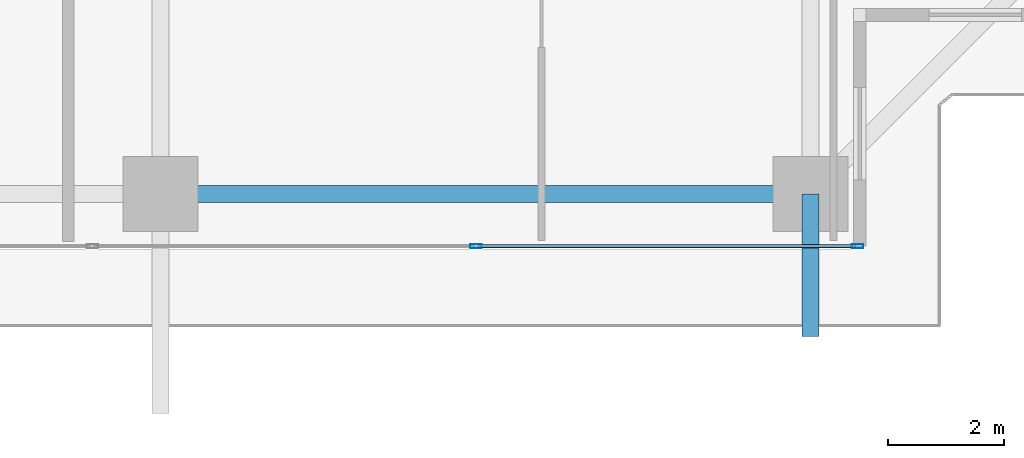
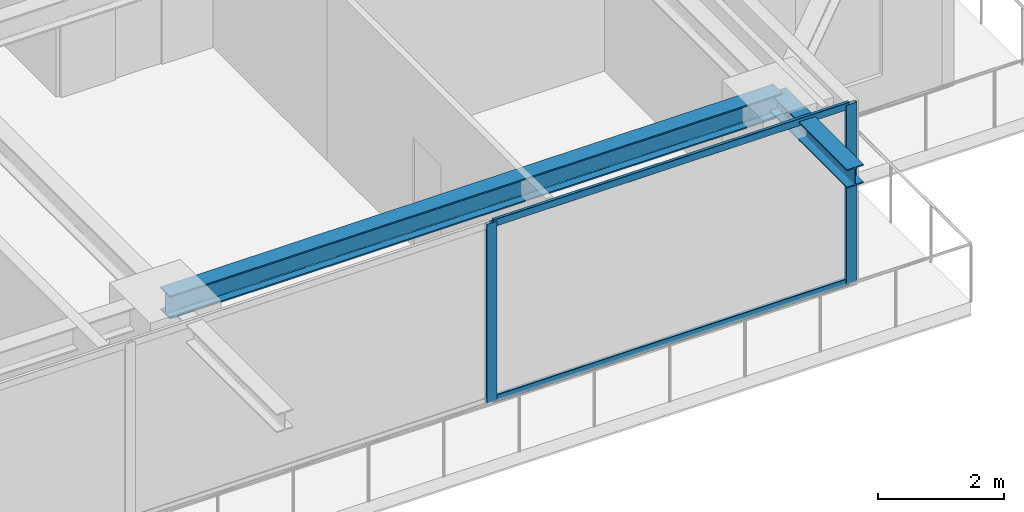
# One storey, part 12 of 37: 4 members, 2 beams, 1 element without a shape of its own.
"""IFC4 building model written with IfcOpenShell, lengths in metres."""

from ifc_helpers import new_model, si_unit, direction, frame, origin, origin_2d, place, context, subcontext, project, spatial, hollow_rectangle, i_section, extrude, source, transform, mapped, material, layer, layer_set, material_profile, profile_set, type_object, element, aggregate, save


model = new_model("IFC4")

# Units and contexts
model_context = context("Model", 3, precision=1e-05, world=origin(), true_north=direction((0.0, 1.0)))
body_context = subcontext(model_context, "Body", "Model", "MODEL_VIEW")
ifc_project = project(units=[si_unit("LENGTHUNIT", "METRE"), si_unit("AREAUNIT", "SQUARE_METRE"), si_unit("VOLUMEUNIT", "CUBIC_METRE"), si_unit("PLANEANGLEUNIT", "RADIAN"), si_unit("MASSUNIT", "GRAM", prefix="KILO")], contexts=[model_context])

# Site, building, storey
site_placement = place(None, origin())
site = spatial("IfcSite", under=ifc_project, at=site_placement, CompositionType="ELEMENT")
building_placement = place(site_placement, origin())
building = spatial("IfcBuilding", under=site, at=building_placement, Name="Serunith Strait Residences", CompositionType="ELEMENT")
storey_placement = place(building_placement, frame((0.0, 0.0, 153.89990234375)))
storey = spatial("IfcBuildingStorey", under=building, at=storey_placement, Name="L38", CompositionType="ELEMENT", Elevation=153.89990234375)

# Beams
ifc_material_1 = material(Name="Steel S355J2", Category="steel")
ifc_material_profile_1 = material_profile(ifc_material_1, i_section(OverallWidth=0.300048828125, OverallDepth=0.449951171875, WebThickness=0.013916015625, FlangeThickness=0.02587890625, FilletRadius=0.027099609375, at=origin_2d()), Name="HEB 450")
ifc_profile_set_1 = profile_set([ifc_material_profile_1], Name="Steel S355J2")
beam_type_1 = type_object("IfcBeamType", Name="BM-HEB450", PredefinedType="BEAM", material=ifc_profile_set_1)
shared_shape_1 = source(origin(), body_context, "Body", "SweptSolid", [
    extrude(i_section(OverallWidth=0.300048828125, OverallDepth=0.449951171875, WebThickness=0.013916015625, FlangeThickness=0.02587890625, FilletRadius=0.027099609375, at=origin_2d()), origin(), (0.0, 0.0, 1.0), 11.25),
])
beam_1_placement = place(storey_placement, frame((36.89990234375, 2.300048828125, 3.26220703125), z_axis=(1.0, 0.0, 0.0), x_axis=(0.0, 1.0, 0.0)))
element("IfcBeam", 1, at=beam_1_placement, inside=storey, type_object=beam_type_1, Name="L38 Perimeter Ring Beam 03", PredefinedType="BEAM", context=body_context, shape_type="MappedRepresentation", body=[
    mapped(shared_shape_1, transform((0.0, 0.0, 0.0), scale=1.0)),
])
ifc_material_profile_2 = material_profile(ifc_material_1, i_section(OverallWidth=0.300048828125, OverallDepth=0.360107421875, WebThickness=0.012451171875, FlangeThickness=0.0224609375, FilletRadius=0.027099609375, at=origin_2d()), Name="HEB 360")
ifc_profile_set_2 = profile_set([ifc_material_profile_2], Name="Steel S355J2")
beam_type_2 = type_object("IfcBeamType", Name="BM-HEB360", PredefinedType="BEAM", material=ifc_profile_set_2)
shared_shape_2 = source(origin(), body_context, "Body", "SweptSolid", [
    extrude(i_section(OverallWidth=0.300048828125, OverallDepth=0.360107421875, WebThickness=0.012451171875, FlangeThickness=0.0224609375, FilletRadius=0.027099609375, at=origin_2d()), origin(), (0.0, 0.0, 1.0), 2.461669921875),
])
beam_2_placement = place(storey_placement, frame((48.14990234375, 2.300048828125, 3.277099609375), z_axis=(0.0, -1.0, 0.0), x_axis=(1.0, 0.0, 0.0)))
element("IfcBeam", 2, at=beam_2_placement, inside=storey, type_object=beam_type_2, Name="L39 Cantilevered Balcony Rib TC-S4", PredefinedType="BEAM", context=body_context, shape_type="MappedRepresentation", body=[
    mapped(shared_shape_2, transform((0.0, 0.0, 0.0), scale=1.0)),
])

# Curtain wall, members
ifc_material_2 = material(Name="Pale-Champagne Anodised Aluminium", Category="aluminium")
ifc_layer = layer(ifc_material_2, 0.199951171875, Name="Pale-Champagne Anodised Aluminium")
ifc_layer_set = layer_set([ifc_layer], Name="Pale-Champagne Anodised Aluminium")
curtain_wall_type = type_object("IfcCurtainWallType", Name="CW-SYS2", PredefinedType="NOTDEFINED", material=ifc_layer_set)
curtain_wall_placement = place(storey_placement, origin())
curtain_wall = element("IfcCurtainWall", 3, at=curtain_wall_placement, inside=storey, type_object=curtain_wall_type, Name="L38 S Unitised Fritted Curtain Wall", PredefinedType="NOTDEFINED")
ifc_material_profile_3 = material_profile(ifc_material_2, hollow_rectangle(XDim=0.070068359375, YDim=0.199951171875, WallThickness=0.00390625, InnerFilletRadius=0.006103515625, OuterFilletRadius=0.010009765625, at=origin_2d()), Name="ALU 200x70x4")
ifc_profile_set_3 = profile_set([ifc_material_profile_3], Name="Pale-Champagne Anodised Aluminium")
member_type_1 = type_object("IfcMemberType", Name="CW-SYS2-MULL", PredefinedType="MULLION", material=ifc_profile_set_3)
shared_shape_3 = source(origin(), body_context, "Body", "SweptSolid", [
    extrude(hollow_rectangle(XDim=0.070068359375, YDim=0.199951171875, WallThickness=0.00390625, InnerFilletRadius=0.006103515625, OuterFilletRadius=0.010009765625, at=origin_2d()), origin(), (0.0, 0.0, 1.0), 3.47509765625),
])
member_1_placement = place(storey_placement, frame((42.360107421875, 1.39990234375, 0.0), z_axis=(0.0, 0.0, 1.0), x_axis=(0.0, 1.0, 0.0)))
member_1 = element("IfcMember", 4, at=member_1_placement, type_object=member_type_1, Name="CW-2 mullion 5", PredefinedType="MULLION", context=body_context, shape_type="MappedRepresentation", body=[
    mapped(shared_shape_3, transform((0.0, 0.0, 0.0), scale=1.0)),
])
member_2_placement = place(storey_placement, frame((48.965087890625, 1.39990234375, 0.0), z_axis=(0.0, 0.0, 1.0), x_axis=(0.0, 1.0, 0.0)))
member_2 = element("IfcMember", 5, at=member_2_placement, type_object=member_type_1, Name="CW-2 mullion 6", PredefinedType="MULLION", context=body_context, shape_type="MappedRepresentation", body=[
    mapped(shared_shape_3, transform((0.0, 0.0, 0.0), scale=1.0)),
])
ifc_material_profile_4 = material_profile(ifc_material_2, hollow_rectangle(XDim=0.06005859375, YDim=0.139892578125, WallThickness=0.00341796875, InnerFilletRadius=0.00537109375, OuterFilletRadius=0.0087890625, at=origin_2d()), Name="ALU 140x60x3.5")
ifc_profile_set_4 = profile_set([ifc_material_profile_4], Name="Pale-Champagne Anodised Aluminium")
member_type_2 = type_object("IfcMemberType", Name="CW-SYS2-TRAN", PredefinedType="USERDEFINED", material=ifc_profile_set_4)
shared_shape_4 = source(origin(), body_context, "Body", "SweptSolid", [
    extrude(hollow_rectangle(XDim=0.06005859375, YDim=0.139892578125, WallThickness=0.00341796875, InnerFilletRadius=0.00537109375, OuterFilletRadius=0.0087890625, at=origin_2d()), origin(), (0.0, 0.0, 1.0), 6.534912109375),
])
member_3_placement = place(storey_placement, frame((42.39501953125, 1.39990234375, 0.030029296875), z_axis=(1.0, 0.0, 0.0), x_axis=(0.0, 1.0, 0.0)))
member_3 = element("IfcMember", 6, at=member_3_placement, type_object=member_type_2, Name="CW-2 transom 5.1", ObjectType="TRANSOM", PredefinedType="USERDEFINED", context=body_context, shape_type="MappedRepresentation", body=[
    mapped(shared_shape_4, transform((0.0, 0.0, 0.0), scale=1.0)),
])
member_4_placement = place(storey_placement, frame((42.39501953125, 1.39990234375, 3.445068359375), z_axis=(1.0, 0.0, 0.0), x_axis=(0.0, 1.0, 0.0)))
member_4 = element("IfcMember", 7, at=member_4_placement, type_object=member_type_2, Name="CW-2 transom 5.2", ObjectType="TRANSOM", PredefinedType="USERDEFINED", context=body_context, shape_type="MappedRepresentation", body=[
    mapped(shared_shape_4, transform((0.0, 0.0, 0.0), scale=1.0)),
])
aggregate(curtain_wall, [member_1, member_2, member_3, member_4])

save(model, "model.ifc")
